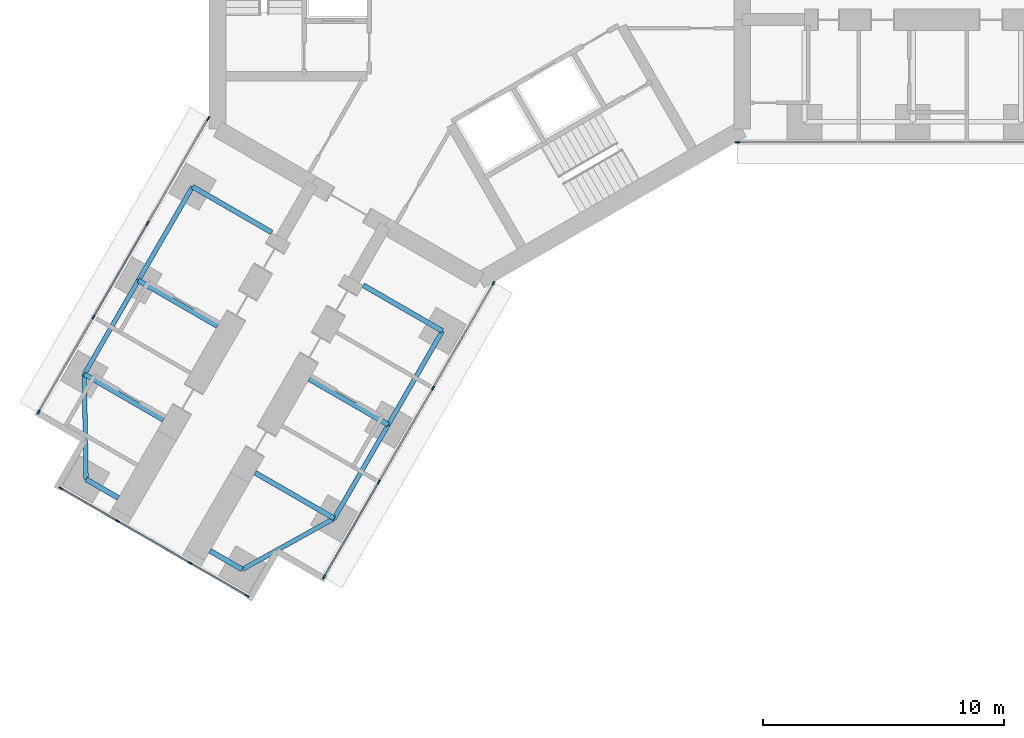
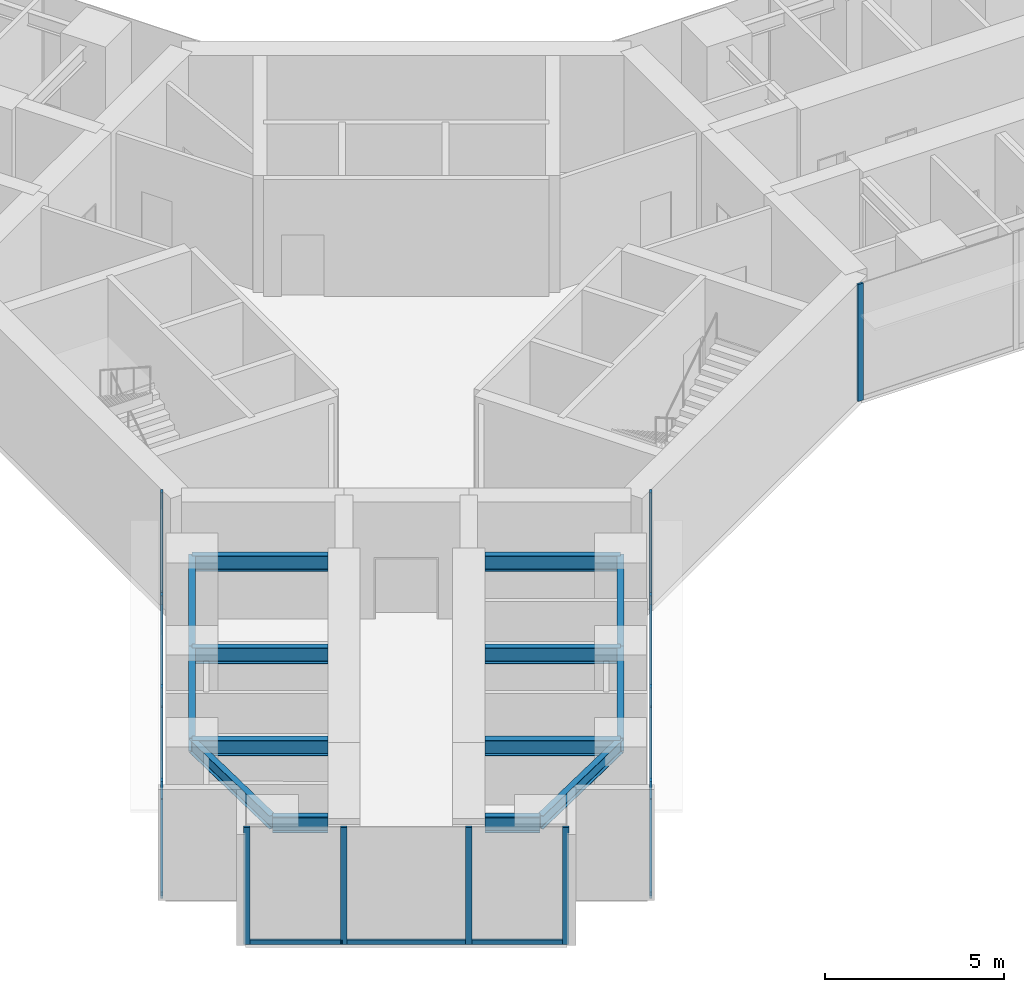
# One storey, part 2 of 24: 22 members, 14 beams, 4 elements without a shape of their own.
"""IFC4 building model written with IfcOpenShell, lengths in metres."""

from ifc_helpers import new_model, si_unit, direction, frame, origin, origin_2d, place, context, subcontext, project, spatial, rectangle, i_section, extrude, material, material_profile, profile_set, type_object, element, aggregate, save


model = new_model("IFC4")

# Units and contexts
model_context = context("Model", 3, precision=1e-05, world=origin(), true_north=direction((0.0, 1.0)))
body_context = subcontext(model_context, "Body", "Model", "MODEL_VIEW")
ifc_project = project(units=[si_unit("LENGTHUNIT", "METRE"), si_unit("AREAUNIT", "SQUARE_METRE"), si_unit("VOLUMEUNIT", "CUBIC_METRE"), si_unit("PLANEANGLEUNIT", "RADIAN"), si_unit("MASSUNIT", "GRAM", prefix="KILO")], contexts=[model_context])

# Site, building, storey
site_placement = place(None, origin())
site = spatial("IfcSite", under=ifc_project, at=site_placement, CompositionType="ELEMENT")
building_placement = place(site_placement, origin())
building = spatial("IfcBuilding", under=site, at=building_placement, Name="Upepo Twin Towers", CompositionType="ELEMENT")
storey_placement = place(building_placement, frame((0.0, 0.0, 64.5)))
storey = spatial("IfcBuildingStorey", under=building, at=storey_placement, Name="L15", CompositionType="ELEMENT", Elevation=64.5)

# Beams
ifc_material_1 = material(Name="Steel S355", Category="steel")
ifc_material_profile_1 = material_profile(ifc_material_1, i_section(OverallWidth=0.1904296875, OverallDepth=0.45703125, WebThickness=0.009033203125, FlangeThickness=0.014404296875, FilletRadius=0.01025390625, at=origin_2d()), Name="UB 457x191x74")
ifc_profile_set_1 = profile_set([ifc_material_profile_1], Name="Steel S355")
beam_type_1 = type_object("IfcBeamType", Name="Beam UB 457x191x74", PredefinedType="BEAM", material=ifc_profile_set_1)
beam_1_placement = place(storey_placement, frame((-1.553955078125, -14.69140625, 3.571533203125), z_axis=(-0.500013631625, -0.866017533419, 0.0), x_axis=(0.866017533419, -0.500013631625, 0.0)))
element("IfcBeam", 1, at=beam_1_placement, inside=storey, type_object=beam_type_1, Name="T1 edge beam CL 13.5-18.0", PredefinedType="BEAM", context=body_context, shape_type="SweptSolid", body=[
    extrude(i_section(OverallWidth=0.1904296875, OverallDepth=0.45703125, WebThickness=0.009033203125, FlangeThickness=0.014404296875, FilletRadius=0.01025390625, at=origin_2d()), origin(), (0.0, 0.0, 1.0), 4.499755859375),
])
beam_2_placement = place(storey_placement, frame((-3.803955078125, -18.58837890625, 3.571533203125), z_axis=(-0.499990139034, -0.866031096941, 0.0), x_axis=(0.866031096941, -0.499990139034, 0.0)))
element("IfcBeam", 2, at=beam_2_placement, inside=storey, type_object=beam_type_1, Name="T1 edge beam CL 18.0-22.5", PredefinedType="BEAM", context=body_context, shape_type="SweptSolid", body=[
    extrude(i_section(OverallWidth=0.1904296875, OverallDepth=0.45703125, WebThickness=0.009033203125, FlangeThickness=0.014404296875, FilletRadius=0.01025390625, at=origin_2d()), origin(), (0.0, 0.0, 1.0), 4.5),
])
beam_3_placement = place(storey_placement, frame((-6.053955078125, -22.485595703125, 3.571533203125), z_axis=(-0.874312600038, -0.485363242752, 0.0), x_axis=(0.485363242752, -0.874312600038, 0.0)))
element("IfcBeam", 3, at=beam_3_placement, inside=storey, type_object=beam_type_1, Name="T1 nose edge beam CL", PredefinedType="BEAM", context=body_context, shape_type="SweptSolid", body=[
    extrude(i_section(OverallWidth=0.1904296875, OverallDepth=0.45703125, WebThickness=0.009033203125, FlangeThickness=0.014404296875, FilletRadius=0.01025390625, at=origin_2d()), origin(), (0.0, 0.0, 1.0), 4.373046875),
])
beam_4_placement = place(storey_placement, frame((-11.946044921875, -8.69140625, 3.571533203125), z_axis=(-0.500013631625, -0.866017533419, 0.0), x_axis=(0.866017533419, -0.500013631625, 0.0)))
element("IfcBeam", 4, at=beam_4_placement, inside=storey, type_object=beam_type_1, Name="T1 edge beam CR 13.5-18.0", PredefinedType="BEAM", context=body_context, shape_type="SweptSolid", body=[
    extrude(i_section(OverallWidth=0.1904296875, OverallDepth=0.45703125, WebThickness=0.009033203125, FlangeThickness=0.014404296875, FilletRadius=0.01025390625, at=origin_2d()), origin(), (0.0, 0.0, 1.0), 4.499755859375),
])
beam_5_placement = place(storey_placement, frame((-14.196044921875, -12.58837890625, 3.571533203125), z_axis=(-0.499990139034, -0.866031096941, 0.0), x_axis=(0.866031096941, -0.499990139034, 0.0)))
element("IfcBeam", 5, at=beam_5_placement, inside=storey, type_object=beam_type_1, Name="T1 edge beam CR 18.0-22.5", PredefinedType="BEAM", context=body_context, shape_type="SweptSolid", body=[
    extrude(i_section(OverallWidth=0.1904296875, OverallDepth=0.45703125, WebThickness=0.009033203125, FlangeThickness=0.014404296875, FilletRadius=0.01025390625, at=origin_2d()), origin(), (0.0, 0.0, 1.0), 4.5),
])
beam_6_placement = place(storey_placement, frame((-16.446044921875, -16.485595703125, 3.571533203125), z_axis=(0.016803880528, -0.999858804832, 0.0), x_axis=(0.999858804832, 0.016803880528, 0.0)))
element("IfcBeam", 6, at=beam_6_placement, inside=storey, type_object=beam_type_1, Name="T1 nose edge beam CR", PredefinedType="BEAM", context=body_context, shape_type="SweptSolid", body=[
    extrude(i_section(OverallWidth=0.1904296875, OverallDepth=0.45703125, WebThickness=0.009033203125, FlangeThickness=0.014404296875, FilletRadius=0.01025390625, at=origin_2d()), origin(), (0.0, 0.0, 1.0), 4.373291015625),
])
ifc_material_2 = material(Name="Steel S355", Category="steel")
ifc_material_profile_2 = material_profile(ifc_material_2, i_section(OverallWidth=0.2119140625, OverallDepth=0.54443359375, WebThickness=0.0126953125, FlangeThickness=0.021240234375, FilletRadius=0.0126953125, at=origin_2d()), Name="UB 533x210x122")
ifc_profile_set_2 = profile_set([ifc_material_profile_2], Name="Steel S355")
beam_type_2 = type_object("IfcBeamType", Name="Beam UB 533x210x122", PredefinedType="BEAM", material=ifc_profile_set_2)
for number, where, z_axis, x_axis, name in (
    (7, (-9.87744140625, -24.608154296875, 3.52783203125), (-0.866043940782, 0.499967891604, 0.0), (-0.499967891604, -0.866043940782, 0.0), "T1 nose beam CL"),
    (8, (-16.37255859375, -20.858154296875, 3.52783203125), (0.866043940782, -0.499967891604, 0.0), (0.499967891604, 0.866043940782, 0.0), "T1 nose beam CR"),
):
    element("IfcBeam", number, at=place(storey_placement, frame(where, z_axis=z_axis, x_axis=x_axis)), inside=storey, type_object=beam_type_2, Name=name, PredefinedType="BEAM", context=body_context, shape_type="SweptSolid", body=[
        extrude(i_section(OverallWidth=0.2119140625, OverallDepth=0.54443359375, WebThickness=0.0126953125, FlangeThickness=0.021240234375, FilletRadius=0.0126953125, at=origin_2d()), origin(), (0.0, 0.0, 1.0), 1.5498046875),
    ])
ifc_material_3 = material(Name="Steel S355", Category="steel")
ifc_material_profile_3 = material_profile(ifc_material_3, i_section(OverallWidth=0.209228515625, OverallDepth=0.533203125, WebThickness=0.010009765625, FlangeThickness=0.015625, FilletRadius=0.0126953125, at=origin_2d()), Name="UB 533x210x92")
ifc_profile_set_3 = profile_set([ifc_material_profile_3], Name="Steel S355")
beam_type_3 = type_object("IfcBeamType", Name="Beam UB 533x210x92", PredefinedType="BEAM", material=ifc_profile_set_3)
beam_7_placement = place(storey_placement, frame((-1.553955078125, -14.69140625, 3.533447265625), z_axis=(-0.866000483506, 0.500043160704, 0.0), x_axis=(-0.500043160704, -0.866000483506, 0.0)))
element("IfcBeam", 9, at=beam_7_placement, inside=storey, type_object=beam_type_3, Name="T1 girder CL at 13.5", PredefinedType="BEAM", context=body_context, shape_type="SweptSolid", body=[
    extrude(i_section(OverallWidth=0.209228515625, OverallDepth=0.533203125, WebThickness=0.010009765625, FlangeThickness=0.015625, FilletRadius=0.0126953125, at=origin_2d()), origin(), (0.0, 0.0, 1.0), 3.800048828125),
])
for number, where, z_axis, x_axis, name in (
    (10, (-3.803955078125, -18.58837890625, 3.533447265625), (-0.866028304915, 0.499994975061, 0.0), (-0.499994975061, -0.866028304915, 0.0), "T1 girder CL at 18.0"),
    (11, (-6.053955078125, -22.485595703125, 3.533447265625), (-0.866028304915, 0.499994975061, 0.0), (-0.499994975061, -0.866028304915, 0.0), "T1 girder CL at 22.5"),
    (12, (-11.946044921875, -8.69140625, 3.533447265625), (0.866028304915, -0.499994975061, 0.0), (0.499994975061, 0.866028304915, 0.0), "T1 girder CR at 13.5"),
):
    element("IfcBeam", number, at=place(storey_placement, frame(where, z_axis=z_axis, x_axis=x_axis)), inside=storey, type_object=beam_type_3, Name=name, PredefinedType="BEAM", context=body_context, shape_type="SweptSolid", body=[
        extrude(i_section(OverallWidth=0.209228515625, OverallDepth=0.533203125, WebThickness=0.010009765625, FlangeThickness=0.015625, FilletRadius=0.0126953125, at=origin_2d()), origin(), (0.0, 0.0, 1.0), 3.7998046875),
    ])
beam_8_placement = place(storey_placement, frame((-14.196044921875, -12.58837890625, 3.533447265625), z_axis=(0.866000483506, -0.500043160704, 0.0), x_axis=(0.500043160704, 0.866000483506, 0.0)))
element("IfcBeam", 13, at=beam_8_placement, inside=storey, type_object=beam_type_3, Name="T1 girder CR at 18.0", PredefinedType="BEAM", context=body_context, shape_type="SweptSolid", body=[
    extrude(i_section(OverallWidth=0.209228515625, OverallDepth=0.533203125, WebThickness=0.010009765625, FlangeThickness=0.015625, FilletRadius=0.0126953125, at=origin_2d()), origin(), (0.0, 0.0, 1.0), 3.800048828125),
])
beam_9_placement = place(storey_placement, frame((-16.446044921875, -16.485595703125, 3.533447265625), z_axis=(0.866028304915, -0.499994975061, 0.0), x_axis=(0.499994975061, 0.866028304915, 0.0)))
element("IfcBeam", 14, at=beam_9_placement, inside=storey, type_object=beam_type_3, Name="T1 girder CR at 22.5", PredefinedType="BEAM", context=body_context, shape_type="SweptSolid", body=[
    extrude(i_section(OverallWidth=0.209228515625, OverallDepth=0.533203125, WebThickness=0.010009765625, FlangeThickness=0.015625, FilletRadius=0.0126953125, at=origin_2d()), origin(), (0.0, 0.0, 1.0), 3.7998046875),
])

# Curtain wall, member
ifc_material_4 = material(Name="Aluminium and fritted glass", Category="aluminium")
curtain_wall_type = type_object("IfcCurtainWallType", Name="Tower curtain wall TW1, fritted glass", PredefinedType="NOTDEFINED", material=ifc_material_4)
curtain_wall_1_placement = place(storey_placement, origin())
curtain_wall_1 = element("IfcCurtainWall", 15, at=curtain_wall_1_placement, inside=storey, type_object=curtain_wall_type, Name="T1 L15 wing A flank R curtain wall", PredefinedType="NOTDEFINED")
ifc_material_5 = material(Name="Aluminium mullion", Category="aluminium")
ifc_material_profile_4 = material_profile(ifc_material_5, rectangle(XDim=0.06494140625, YDim=0.179931640625, at=origin_2d()), Name="MULLION 65x180")
ifc_profile_set_4 = profile_set([ifc_material_profile_4], Name="Aluminium mullion")
member_type_1 = type_object("IfcMemberType", Name="Mullion 65x180 TW1", PredefinedType="MULLION", material=ifc_profile_set_4)
member_1_placement = place(storey_placement, frame((10.7197265625, -6.85009765625, 0.0), z_axis=(0.0, 0.0, 1.0), x_axis=(0.0, -1.0, 0.0)))
member_1 = element("IfcMember", 16, at=member_1_placement, type_object=member_type_1, Name="T1 L15 wing A flank R curtain wall mullion 4", PredefinedType="MULLION", context=body_context, shape_type="SweptSolid", body=[
    extrude(rectangle(XDim=0.06494140625, YDim=0.179931640625, at=origin_2d()), origin(), (0.0, 0.0, 1.0), 4.0),
])
aggregate(curtain_wall_1, [member_1])

# Curtain wall, members
curtain_wall_2_placement = place(storey_placement, origin())
curtain_wall_2 = element("IfcCurtainWall", 17, at=curtain_wall_2_placement, inside=storey, type_object=curtain_wall_type, Name="T1 L15 wing C flank L curtain wall", PredefinedType="NOTDEFINED")
member_2_placement = place(storey_placement, frame((0.572509765625, -12.70849609375, 0.0), z_axis=(0.0, 0.0, 1.0), x_axis=(0.866025389682, -0.500000024426, 0.0)))
member_2 = element("IfcMember", 18, at=member_2_placement, type_object=member_type_1, Name="T1 L15 wing C flank L curtain wall mullion 1", PredefinedType="MULLION", context=body_context, shape_type="SweptSolid", body=[
    extrude(rectangle(XDim=0.06494140625, YDim=0.179931640625, at=origin_2d()), origin(), (0.0, 0.0, 1.0), 4.0),
])
member_3_placement = place(storey_placement, frame((-1.942626953125, -17.06494140625, 0.0), z_axis=(0.0, 0.0, 1.0), x_axis=(0.866025389682, -0.500000024426, 0.0)))
member_3 = element("IfcMember", 19, at=member_3_placement, type_object=member_type_1, Name="T1 L15 wing C flank L curtain wall mullion 2", PredefinedType="MULLION", context=body_context, shape_type="SweptSolid", body=[
    extrude(rectangle(XDim=0.06494140625, YDim=0.179931640625, at=origin_2d()), origin(), (0.0, 0.0, 1.0), 4.0),
])
member_4_placement = place(storey_placement, frame((-4.192626953125, -20.9619140625, 0.0), z_axis=(0.0, 0.0, 1.0), x_axis=(0.866025389682, -0.500000024426, 0.0)))
member_4 = element("IfcMember", 20, at=member_4_placement, type_object=member_type_1, Name="T1 L15 wing C flank L curtain wall mullion 3", PredefinedType="MULLION", context=body_context, shape_type="SweptSolid", body=[
    extrude(rectangle(XDim=0.06494140625, YDim=0.179931640625, at=origin_2d()), origin(), (0.0, 0.0, 1.0), 4.0),
])
member_5_placement = place(storey_placement, frame((-6.4765625, -24.91748046875, 0.0), z_axis=(0.0, 0.0, 1.0), x_axis=(0.866025389682, -0.500000024426, 0.0)))
member_5 = element("IfcMember", 21, at=member_5_placement, type_object=member_type_1, Name="T1 L15 wing C flank L curtain wall mullion 4", PredefinedType="MULLION", context=body_context, shape_type="SweptSolid", body=[
    extrude(rectangle(XDim=0.06494140625, YDim=0.179931640625, at=origin_2d()), origin(), (0.0, 0.0, 1.0), 4.0),
])

curtain_wall_3_placement = place(storey_placement, origin())
curtain_wall_3 = element("IfcCurtainWall", 22, at=curtain_wall_3_placement, inside=storey, type_object=curtain_wall_type, Name="T1 L15 wing C flank R curtain wall", PredefinedType="NOTDEFINED")
member_6_placement = place(storey_placement, frame((-18.341064453125, -18.067626953125, 0.0), z_axis=(0.0, 0.0, 1.0), x_axis=(-0.866025389682, 0.500000024426, 0.0)))
member_6 = element("IfcMember", 23, at=member_6_placement, type_object=member_type_1, Name="T1 L15 wing C flank R curtain wall mullion 1", PredefinedType="MULLION", context=body_context, shape_type="SweptSolid", body=[
    extrude(rectangle(XDim=0.06494140625, YDim=0.179931640625, at=origin_2d()), origin(), (0.0, 0.0, 1.0), 4.0),
])
member_7_placement = place(storey_placement, frame((-16.057373046875, -14.112060546875, 0.0), z_axis=(0.0, 0.0, 1.0), x_axis=(-0.866025389682, 0.500000024426, 0.0)))
member_7 = element("IfcMember", 24, at=member_7_placement, type_object=member_type_1, Name="T1 L15 wing C flank R curtain wall mullion 2", PredefinedType="MULLION", context=body_context, shape_type="SweptSolid", body=[
    extrude(rectangle(XDim=0.06494140625, YDim=0.179931640625, at=origin_2d()), origin(), (0.0, 0.0, 1.0), 4.0),
])
member_8_placement = place(storey_placement, frame((-13.807373046875, -10.21484375, 0.0), z_axis=(0.0, 0.0, 1.0), x_axis=(-0.866025389682, 0.500000024426, 0.0)))
member_8 = element("IfcMember", 25, at=member_8_placement, type_object=member_type_1, Name="T1 L15 wing C flank R curtain wall mullion 3", PredefinedType="MULLION", context=body_context, shape_type="SweptSolid", body=[
    extrude(rectangle(XDim=0.06494140625, YDim=0.179931640625, at=origin_2d()), origin(), (0.0, 0.0, 1.0), 4.0),
])
member_9_placement = place(storey_placement, frame((-11.2919921875, -5.8583984375, 0.0), z_axis=(0.0, 0.0, 1.0), x_axis=(-0.866025389682, 0.500000024426, 0.0)))
member_9 = element("IfcMember", 26, at=member_9_placement, type_object=member_type_1, Name="T1 L15 wing C flank R curtain wall mullion 4", PredefinedType="MULLION", context=body_context, shape_type="SweptSolid", body=[
    extrude(rectangle(XDim=0.06494140625, YDim=0.179931640625, at=origin_2d()), origin(), (0.0, 0.0, 1.0), 4.0),
])

curtain_wall_4_placement = place(storey_placement, origin())
curtain_wall_4 = element("IfcCurtainWall", 27, at=curtain_wall_4_placement, inside=storey, type_object=curtain_wall_type, Name="T1 L15 wing C nose curtain wall", PredefinedType="NOTDEFINED")
member_10_placement = place(storey_placement, frame((-17.4189453125, -21.235595703125, 0.0), z_axis=(0.0, 0.0, 1.0), x_axis=(0.500000030502, 0.866025386174, 0.0)))
member_10 = element("IfcMember", 28, at=member_10_placement, type_object=member_type_1, Name="T1 L15 wing C nose curtain wall mullion 1", PredefinedType="MULLION", context=body_context, shape_type="SweptSolid", body=[
    extrude(rectangle(XDim=0.06494140625, YDim=0.179931640625, at=origin_2d()), origin(), (0.0, 0.0, 1.0), 4.0),
])
member_11_placement = place(storey_placement, frame((-15.0654296875, -22.59423828125, 0.0), z_axis=(0.0, 0.0, 1.0), x_axis=(0.500000030502, 0.866025386174, 0.0)))
member_11 = element("IfcMember", 29, at=member_11_placement, type_object=member_type_1, Name="T1 L15 wing C nose curtain wall mullion 2", PredefinedType="MULLION", context=body_context, shape_type="SweptSolid", body=[
    extrude(rectangle(XDim=0.06494140625, YDim=0.179931640625, at=origin_2d()), origin(), (0.0, 0.0, 1.0), 4.0),
])
member_12_placement = place(storey_placement, frame((-12.034423828125, -24.34423828125, 0.0), z_axis=(0.0, 0.0, 1.0), x_axis=(0.500000030502, 0.866025386174, 0.0)))
member_12 = element("IfcMember", 30, at=member_12_placement, type_object=member_type_1, Name="T1 L15 wing C nose curtain wall mullion 3", PredefinedType="MULLION", context=body_context, shape_type="SweptSolid", body=[
    extrude(rectangle(XDim=0.06494140625, YDim=0.179931640625, at=origin_2d()), origin(), (0.0, 0.0, 1.0), 4.0),
])
member_13_placement = place(storey_placement, frame((-9.68115234375, -25.703125, 0.0), z_axis=(0.0, 0.0, 1.0), x_axis=(0.500000030502, 0.866025386174, 0.0)))
member_13 = element("IfcMember", 31, at=member_13_placement, type_object=member_type_1, Name="T1 L15 wing C nose curtain wall mullion 4", PredefinedType="MULLION", context=body_context, shape_type="SweptSolid", body=[
    extrude(rectangle(XDim=0.06494140625, YDim=0.179931640625, at=origin_2d()), origin(), (0.0, 0.0, 1.0), 4.0),
])

# Member
ifc_material_6 = material(Name="Aluminium transom", Category="aluminium")
ifc_material_profile_5 = material_profile(ifc_material_6, rectangle(XDim=0.06494140625, YDim=0.14990234375, at=origin_2d()), Name="TRANSOM 65x150")
ifc_profile_set_5 = profile_set([ifc_material_profile_5], Name="Aluminium transom")
member_type_2 = type_object("IfcMemberType", Name="Transom 65x150 TW1", PredefinedType="USERDEFINED", material=ifc_profile_set_5)
member_14_placement = place(storey_placement, frame((0.55615234375, -12.736572265625, 0.074951171875), z_axis=(-0.499983492876, -0.866034933967, 0.0), x_axis=(0.866034933967, -0.499983492876, 0.0)))
member_14 = element("IfcMember", 32, at=member_14_placement, type_object=member_type_2, Name="T1 L15 wing C flank L curtain wall transom 1", ObjectType="TRANSOM", PredefinedType="USERDEFINED", context=body_context, shape_type="SweptSolid", body=[
    extrude(rectangle(XDim=0.06494140625, YDim=0.14990234375, at=origin_2d()), origin(), (0.0, 0.0, 1.0), 4.965576171875),
])

member_15_placement = place(storey_placement, frame((-1.958984375, -17.093017578125, 0.074951171875), z_axis=(-0.500005184116, -0.866022410713, 0.0), x_axis=(0.866022410713, -0.500005184116, 0.0)))
member_15 = element("IfcMember", 33, at=member_15_placement, type_object=member_type_2, Name="T1 L15 wing C flank L curtain wall transom 2", ObjectType="TRANSOM", PredefinedType="USERDEFINED", context=body_context, shape_type="SweptSolid", body=[
    extrude(rectangle(XDim=0.06494140625, YDim=0.14990234375, at=origin_2d()), origin(), (0.0, 0.0, 1.0), 4.43505859375),
])

member_16_placement = place(storey_placement, frame((-4.208984375, -20.990234375, 0.074951171875), z_axis=(-0.500005646842, -0.866022143554, 0.0), x_axis=(0.866022143554, -0.500005646842, 0.0)))
member_16 = element("IfcMember", 34, at=member_16_placement, type_object=member_type_2, Name="T1 L15 wing C flank L curtain wall transom 3", ObjectType="TRANSOM", PredefinedType="USERDEFINED", context=body_context, shape_type="SweptSolid", body=[
    extrude(rectangle(XDim=0.06494140625, YDim=0.14990234375, at=origin_2d()), origin(), (0.0, 0.0, 1.0), 4.50244140625),
])

aggregate(curtain_wall_2, [member_2, member_3, member_4, member_5, member_14, member_15, member_16])

member_17_placement = place(storey_placement, frame((-18.32470703125, -18.03955078125, 0.074951171875), z_axis=(0.499982167615, 0.866035699072, 0.0), x_axis=(-0.866035699072, 0.499982167615, 0.0)))
member_17 = element("IfcMember", 35, at=member_17_placement, type_object=member_type_2, Name="T1 L15 wing C flank R curtain wall transom 1", ObjectType="TRANSOM", PredefinedType="USERDEFINED", context=body_context, shape_type="SweptSolid", body=[
    extrude(rectangle(XDim=0.06494140625, YDim=0.14990234375, at=origin_2d()), origin(), (0.0, 0.0, 1.0), 4.502685546875),
])

member_18_placement = place(storey_placement, frame((-16.041015625, -14.083984375, 0.074951171875), z_axis=(0.500005184116, 0.866022410713, 0.0), x_axis=(-0.866022410713, 0.500005184116, 0.0)))
member_18 = element("IfcMember", 36, at=member_18_placement, type_object=member_type_2, Name="T1 L15 wing C flank R curtain wall transom 2", ObjectType="TRANSOM", PredefinedType="USERDEFINED", context=body_context, shape_type="SweptSolid", body=[
    extrude(rectangle(XDim=0.06494140625, YDim=0.14990234375, at=origin_2d()), origin(), (0.0, 0.0, 1.0), 4.43505859375),
])

member_19_placement = place(storey_placement, frame((-13.791015625, -10.186767578125, 0.074951171875), z_axis=(0.50000478328, 0.866022642139, 0.0), x_axis=(-0.866022642139, 0.50000478328, 0.0)))
member_19 = element("IfcMember", 37, at=member_19_placement, type_object=member_type_2, Name="T1 L15 wing C flank R curtain wall transom 3", ObjectType="TRANSOM", PredefinedType="USERDEFINED", context=body_context, shape_type="SweptSolid", body=[
    extrude(rectangle(XDim=0.06494140625, YDim=0.14990234375, at=origin_2d()), origin(), (0.0, 0.0, 1.0), 4.96533203125),
])

aggregate(curtain_wall_3, [member_6, member_7, member_8, member_9, member_17, member_18, member_19])

member_20_placement = place(storey_placement, frame((-17.390869140625, -21.251708984375, 0.074951171875), z_axis=(0.865997053448, -0.500049101008, 0.0), x_axis=(0.500049101008, 0.865997053448, 0.0)))
member_20 = element("IfcMember", 38, at=member_20_placement, type_object=member_type_2, Name="T1 L15 wing C nose curtain wall transom 1", ObjectType="TRANSOM", PredefinedType="USERDEFINED", context=body_context, shape_type="SweptSolid", body=[
    extrude(rectangle(XDim=0.06494140625, YDim=0.14990234375, at=origin_2d()), origin(), (0.0, 0.0, 1.0), 2.652587890625),
])

member_21_placement = place(storey_placement, frame((-15.037353515625, -22.610595703125, 0.074951171875), z_axis=(0.866025804792, -0.499999305434, 0.0), x_axis=(0.499999305434, 0.866025804792, 0.0)))
member_21 = element("IfcMember", 39, at=member_21_placement, type_object=member_type_2, Name="T1 L15 wing C nose curtain wall transom 2", ObjectType="TRANSOM", PredefinedType="USERDEFINED", context=body_context, shape_type="SweptSolid", body=[
    extrude(rectangle(XDim=0.06494140625, YDim=0.14990234375, at=origin_2d()), origin(), (0.0, 0.0, 1.0), 3.43505859375),
])

member_22_placement = place(storey_placement, frame((-12.00634765625, -24.360595703125, 0.074951171875), z_axis=(0.866036909293, -0.499980071345, 0.0), x_axis=(0.499980071345, 0.866036909293, 0.0)))
member_22 = element("IfcMember", 40, at=member_22_placement, type_object=member_type_2, Name="T1 L15 wing C nose curtain wall transom 3", ObjectType="TRANSOM", PredefinedType="USERDEFINED", context=body_context, shape_type="SweptSolid", body=[
    extrude(rectangle(XDim=0.06494140625, YDim=0.14990234375, at=origin_2d()), origin(), (0.0, 0.0, 1.0), 2.65234375),
])

aggregate(curtain_wall_4, [member_10, member_11, member_12, member_13, member_20, member_21, member_22])

save(model, "model.ifc")
